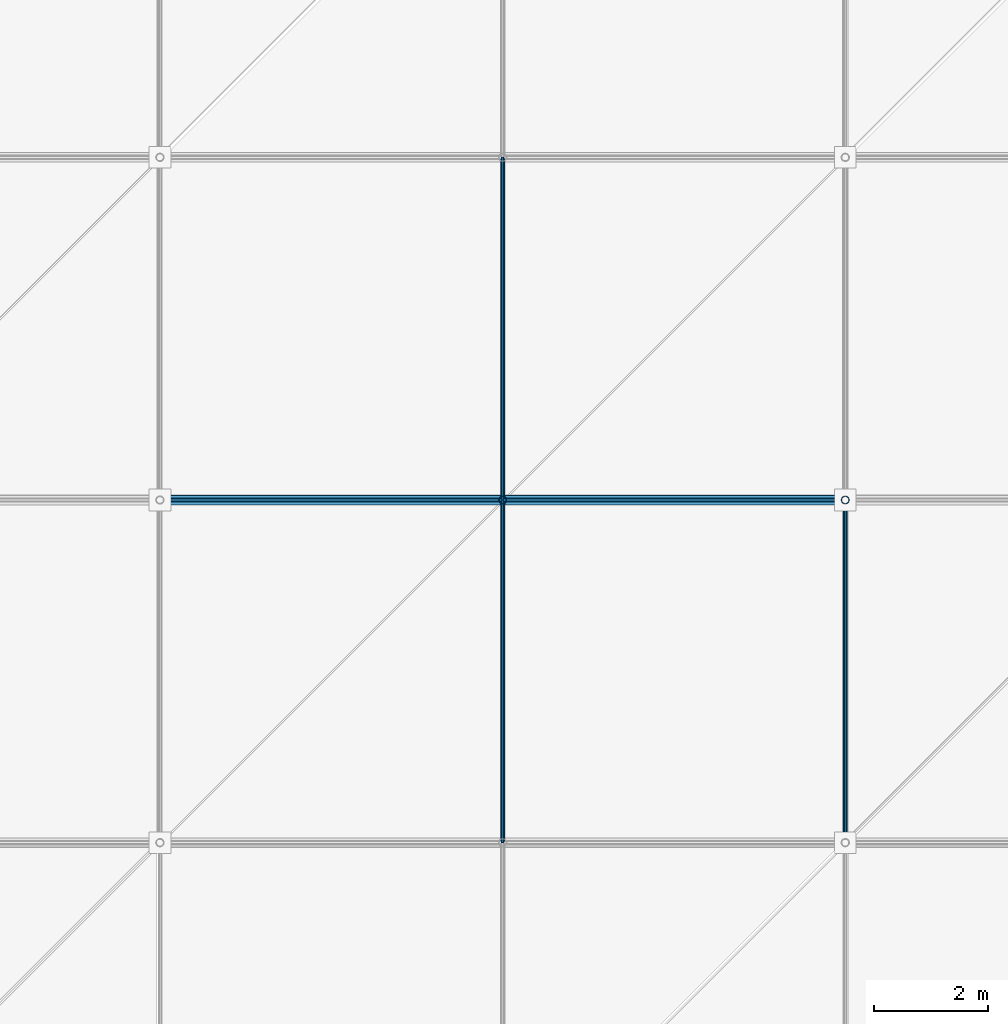
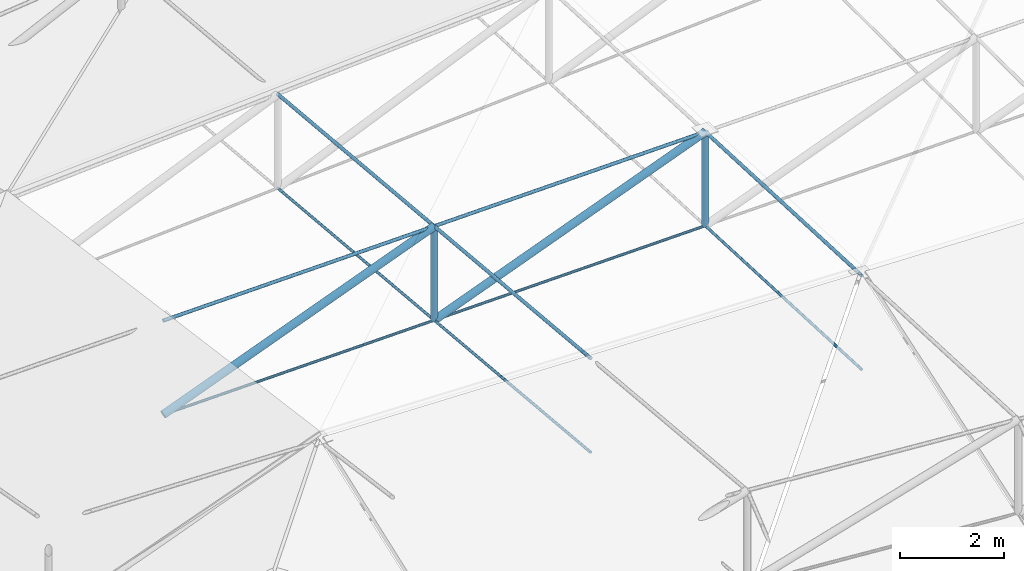
# One storey, part 27 of 132: 14 members.
"""IFC4 building model written with IfcOpenShell, lengths in metres."""

from ifc_helpers import new_model, si_unit, direction, frame, origin, origin_2d, place, context, subcontext, project, spatial, circle, hollow_circle, extrude, material, material_profile, profile_set, type_object, element, save


model = new_model("IFC4")

# Units and contexts
model_context = context("Model", 3, precision=1e-05, world=origin(), true_north=direction((0.0, 1.0)))
body_context = subcontext(model_context, "Body", "Model", "MODEL_VIEW")
ifc_project = project(units=[si_unit("LENGTHUNIT", "METRE"), si_unit("AREAUNIT", "SQUARE_METRE"), si_unit("VOLUMEUNIT", "CUBIC_METRE"), si_unit("PLANEANGLEUNIT", "RADIAN"), si_unit("MASSUNIT", "GRAM", prefix="KILO")], contexts=[model_context])

# Site, building, storey
site_placement = place(None, origin())
site = spatial("IfcSite", under=ifc_project, at=site_placement, CompositionType="ELEMENT")
building_placement = place(site_placement, origin())
building = spatial("IfcBuilding", under=site, at=building_placement, Name="Deido Ridge Mobility Hub", CompositionType="ELEMENT")
storey_placement = place(building_placement, frame((0.0, 0.0, 8.39990234375)))
storey = spatial("IfcBuildingStorey", under=building, at=storey_placement, Name="L02", CompositionType="ELEMENT", Elevation=8.39990234375)

# Members
ifc_material_1 = material(Name="Steel S460M EN 10025-4", Category="steel")
ifc_material_profile_1 = material_profile(ifc_material_1, circle(Radius=0.030029296875, at=origin_2d()), Name="CABLE D60")
ifc_profile_set_1 = profile_set([ifc_material_profile_1], Name="Steel S460M EN 10025-4")
member_type_1 = type_object("IfcMemberType", Name="MEM-CBL-D60", PredefinedType="USERDEFINED", material=ifc_profile_set_1)
for number, where, z_axis, x_axis, name in (
    (1, (12.0, 18.0, 1.47021484375), (0.999832404079, 0.0, 0.018307478102), (0.0, 1.0, 0.0), "Saddle lower stabilizing cable CB3"),
    (2, (18.0, 18.0, 1.580078125), (0.999831658568, 0.0, 0.018348147706), (0.0, 1.0, 0.0), "Saddle lower stabilizing cable CB3"),
):
    element("IfcMember", number, at=place(storey_placement, frame(where, z_axis=z_axis, x_axis=x_axis)), inside=storey, type_object=member_type_1, Name=name, ObjectType="TENSION CABLE", PredefinedType="USERDEFINED", context=body_context, shape_type="SweptSolid", body=[
        extrude(circle(Radius=0.030029296875, at=origin_2d()), origin(), (0.0, 0.0, 1.0), 6.0009765625),
    ])
for number, where, z_axis, x_axis, name in (
    (3, (18.0, 12.0, 2.126708984375), (0.0, 0.9958755837, -0.090729387691), (-1.0, 0.0, 0.0), "Saddle transverse valley cable CB3"),
    (4, (18.0, 18.0, 1.580078125), (0.0, 0.9958755837, -0.090729387691), (-1.0, 0.0, 0.0), "Saddle transverse valley cable CB3"),
):
    element("IfcMember", number, at=place(storey_placement, frame(where, z_axis=z_axis, x_axis=x_axis)), inside=storey, type_object=member_type_1, Name=name, ObjectType="TENSION CABLE", PredefinedType="USERDEFINED", context=body_context, shape_type="SweptSolid", body=[
        extrude(circle(Radius=0.030029296875, at=origin_2d()), origin(), (0.0, 0.0, 1.0), 6.02490234375),
    ])
member_1_placement = place(storey_placement, frame((24.0, 12.0, 1.96337890625), z_axis=(0.0, 0.998965017176, -0.04548510149), x_axis=(-1.0, 0.0, 0.0)))
element("IfcMember", 5, at=member_1_placement, inside=storey, type_object=member_type_1, Name="Saddle transverse valley cable CB3", ObjectType="TENSION CABLE", PredefinedType="USERDEFINED", context=body_context, shape_type="SweptSolid", body=[
    extrude(circle(Radius=0.030029296875, at=origin_2d()), origin(), (0.0, 0.0, 1.0), 6.006103515625),
])
ifc_material_profile_2 = material_profile(ifc_material_1, circle(Radius=0.0380859375, at=origin_2d()), Name="CABLE D76")
ifc_profile_set_2 = profile_set([ifc_material_profile_2], Name="Steel S460M EN 10025-4")
member_type_2 = type_object("IfcMemberType", Name="MEM-CBL-D76", PredefinedType="USERDEFINED", material=ifc_profile_set_2)
for number, where, z_axis, x_axis, name in (
    (6, (12.0, 18.0, 3.670166015625), (0.999832404079, 0.0, 0.018307478102), (0.0, 1.0, 0.0), "Saddle upper longitudinal cable CB2"),
    (7, (18.0, 18.0, 3.780029296875), (0.999831658568, 0.0, 0.018348147706), (0.0, 1.0, 0.0), "Saddle upper longitudinal cable CB2"),
):
    element("IfcMember", number, at=place(storey_placement, frame(where, z_axis=z_axis, x_axis=x_axis)), inside=storey, type_object=member_type_2, Name=name, ObjectType="TENSION CABLE", PredefinedType="USERDEFINED", context=body_context, shape_type="SweptSolid", body=[
        extrude(circle(Radius=0.0380859375, at=origin_2d()), origin(), (0.0, 0.0, 1.0), 6.0009765625),
    ])
for number, where, z_axis, x_axis, name in (
    (8, (18.0, 12.0, 4.326904296875), (0.0, 0.995871921504, -0.090769576179), (-1.0, 0.0, 0.0), "Saddle transverse ridge cable CB2"),
    (9, (18.0, 18.0, 3.780029296875), (0.0, 0.9958755837, -0.090729387691), (-1.0, 0.0, 0.0), "Saddle transverse ridge cable CB2"),
):
    element("IfcMember", number, at=place(storey_placement, frame(where, z_axis=z_axis, x_axis=x_axis)), inside=storey, type_object=member_type_2, Name=name, ObjectType="TENSION CABLE", PredefinedType="USERDEFINED", context=body_context, shape_type="SweptSolid", body=[
        extrude(circle(Radius=0.0380859375, at=origin_2d()), origin(), (0.0, 0.0, 1.0), 6.02490234375),
    ])
member_2_placement = place(storey_placement, frame((24.0, 12.0, 4.163330078125), z_axis=(0.0, 0.998965017176, -0.04548510149), x_axis=(-1.0, 0.0, 0.0)))
element("IfcMember", 10, at=member_2_placement, inside=storey, type_object=member_type_2, Name="Saddle transverse ridge cable CB2", ObjectType="TENSION CABLE", PredefinedType="USERDEFINED", context=body_context, shape_type="SweptSolid", body=[
    extrude(circle(Radius=0.0380859375, at=origin_2d()), origin(), (0.0, 0.0, 1.0), 6.006103515625),
])
ifc_material_2 = material(Name="Steel S355J2H EN 10210-1", Category="steel")
ifc_material_profile_3 = material_profile(ifc_material_2, hollow_circle(Radius=0.06982421875, WallThickness=0.00634765625, at=origin_2d()), Name="CHS 139.7x6.3")
ifc_profile_set_3 = profile_set([ifc_material_profile_3], Name="Steel S355J2H EN 10210-1")
member_type_3 = type_object("IfcMemberType", Name="MEM-STR-CHS140", PredefinedType="STRUT", material=ifc_profile_set_3)
for number, where, z_axis, x_axis, name in (
    (11, (18.0, 18.0, 1.580078125), (0.0, 0.0, 1.0), (1.0, 0.0, 0.0), "Cable-net vertical spreader strut SR2"),
    (12, (24.0, 18.0, 1.690185546875), (0.0, 0.0, 1.0), (1.0, 0.0, 0.0), "Cable-net vertical spreader strut SR2"),
):
    element("IfcMember", number, at=place(storey_placement, frame(where, z_axis=z_axis, x_axis=x_axis)), inside=storey, type_object=member_type_3, Name=name, PredefinedType="STRUT", context=body_context, shape_type="SweptSolid", body=[
        extrude(hollow_circle(Radius=0.06982421875, WallThickness=0.00634765625, at=origin_2d()), origin(), (0.0, 0.0, 1.0), 2.199951171875),
    ])
ifc_material_profile_4 = material_profile(ifc_material_2, hollow_circle(Radius=0.084228515625, WallThickness=0.008056640625, at=origin_2d()), Name="CHS 168.3x8")
ifc_profile_set_4 = profile_set([ifc_material_profile_4], Name="Steel S355J2H EN 10210-1")
member_type_4 = type_object("IfcMemberType", Name="MEM-STR-CHS168", PredefinedType="STRUT", material=ifc_profile_set_4)
member_3_placement = place(storey_placement, frame((12.0, 18.0, 1.47021484375), z_axis=(0.933234969195, 0.0, 0.359266603335), x_axis=(0.0, 1.0, 0.0)))
element("IfcMember", 13, at=member_3_placement, inside=storey, type_object=member_type_4, Name="Saddle diagonal web strut SR1", PredefinedType="STRUT", context=body_context, shape_type="SweptSolid", body=[
    extrude(hollow_circle(Radius=0.084228515625, WallThickness=0.008056640625, at=origin_2d()), origin(), (0.0, 0.0, 1.0), 6.42919921875),
])
member_4_placement = place(storey_placement, frame((18.0, 18.0, 1.580078125), z_axis=(0.933222237046, 0.0, 0.359299674761), x_axis=(0.0, 1.0, 0.0)))
element("IfcMember", 14, at=member_4_placement, inside=storey, type_object=member_type_4, Name="Saddle diagonal web strut SR1", PredefinedType="STRUT", context=body_context, shape_type="SweptSolid", body=[
    extrude(hollow_circle(Radius=0.084228515625, WallThickness=0.008056640625, at=origin_2d()), origin(), (0.0, 0.0, 1.0), 6.429443359375),
])

save(model, "model.ifc")
